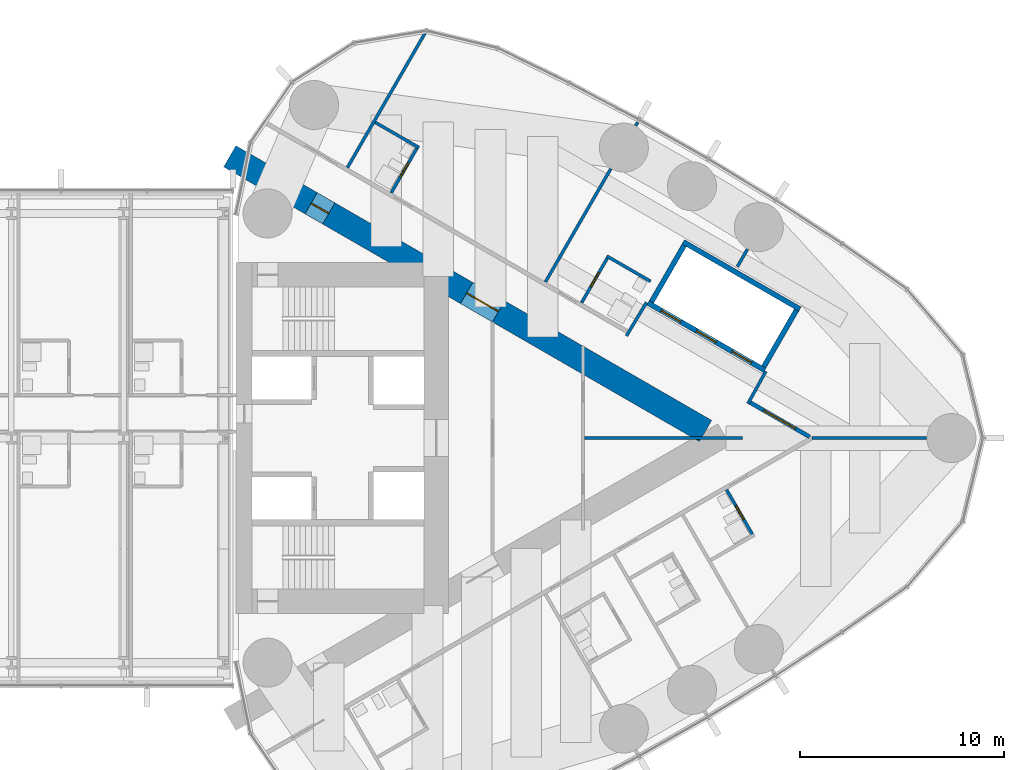
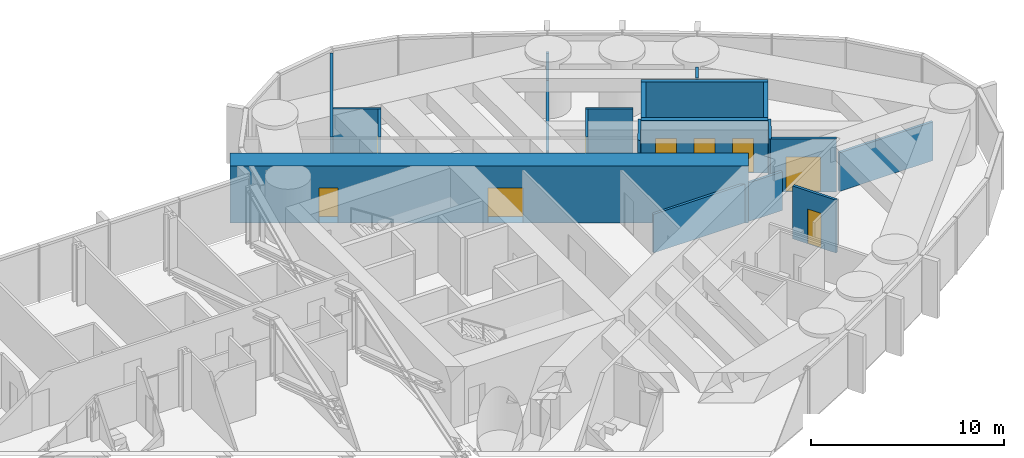
# One storey, part 20 of 23: 19 walls, 9 doors, 9 openings.
"""IFC4 building model written with IfcOpenShell, lengths in metres."""

import ifcopenshell
import ifcopenshell.guid

model = None  # the IFC model being written
_history = None  # IfcOwnerHistory: only IFC2X3 demands one
_inside = {}  # id of a spatial element -> (the spatial element, [elements in it])
_under = {}  # id of a project, library or spatial element -> (it, [spatial elements below it])
_declared = {}  # id of a project -> (the project, [libraries it declares])
_typed = {}  # id of a type object -> (the type object, [elements of that type])
_made_of = {}  # id of a material, layer set ... -> (it, [elements and type objects made of it])


def new_model(schema):
    """Start an empty IFC model of exactly this schema.

    Asked for "IFC4X3", IfcOpenShell would pick the latest addendum, in which some entities
    have other attributes; the version numbers below select the first issue.
    IFC2X3 requires an IfcOwnerHistory on every rooted entity: one is made here for all.
    """
    global model, _history
    if schema == "IFC4X3":
        model = ifcopenshell.file(schema_version=(4, 3, 0, 0))
    else:
        model = ifcopenshell.file(schema=schema)
    _inside.clear()
    _under.clear()
    _declared.clear()
    _typed.clear()
    _made_of.clear()
    _history = None
    if model.schema == "IFC2X3":
        org = make("IfcOrganization", Name="unknown")
        user = make(
            "IfcPersonAndOrganization",
            ThePerson=make("IfcPerson", FamilyName="unknown"),
            TheOrganization=org,
        )
        app = make(
            "IfcApplication",
            ApplicationDeveloper=org,
            Version="unknown",
            ApplicationFullName="unknown",
            ApplicationIdentifier="unknown",
        )
        _history = make(
            "IfcOwnerHistory",
            OwningUser=user,
            OwningApplication=app,
            ChangeAction="ADDED",
            CreationDate=0,
        )
    return model


def make(cls, **values):
    """One entity of the class cls with the attributes given. An attribute that is None is left unset."""
    return model.create_entity(
        cls, **{name: value for name, value in values.items() if value is not None}
    )


def rooted(cls, **values):
    """An entity with a GlobalId (a new one), such as an element, a storey or a relation."""
    return make(cls, GlobalId=ifcopenshell.guid.new(), OwnerHistory=_history, **values)


def si_unit(unit_type, name, prefix=None):
    """IfcSIUnit, for example si_unit("LENGTHUNIT", "METRE", prefix="MILLI")."""
    return make("IfcSIUnit", UnitType=unit_type, Prefix=prefix, Name=name)


def assignment(units):
    """IfcUnitAssignment: the units of a project."""
    return None if units is None else make("IfcUnitAssignment", Units=units)


def point(xyz):
    """IfcCartesianPoint."""
    return None if xyz is None else make("IfcCartesianPoint", Coordinates=xyz)


def direction(xyz):
    """IfcDirection."""
    return None if xyz is None else make("IfcDirection", DirectionRatios=xyz)


def frame(location, z_axis=None, x_axis=None):
    """IfcAxis2Placement3D, a coordinate frame: its origin and axes. An axis left out is left unset."""
    return make(
        "IfcAxis2Placement3D",
        Location=point(location),
        Axis=direction(z_axis),
        RefDirection=direction(x_axis),
    )


def frame_2d(location, x_axis=None):
    """IfcAxis2Placement2D, a coordinate frame in the plane: its origin and x axis."""
    return make(
        "IfcAxis2Placement2D", Location=point(location), RefDirection=direction(x_axis)
    )


def origin():
    """The frame at (0, 0, 0) with its axes left unset."""
    return frame((0.0, 0.0, 0.0))


def place(relative_to, where):
    """IfcLocalPlacement: puts the frame where relative to a parent placement (None: the world)."""
    return make(
        "IfcLocalPlacement", PlacementRelTo=relative_to, RelativePlacement=where
    )


def context(
    kind, dimensions, precision=None, world=None, true_north=None, identifier=None
):
    """IfcGeometricRepresentationContext, for example the 3D "Model" context."""
    return make(
        "IfcGeometricRepresentationContext",
        ContextIdentifier=identifier,
        ContextType=kind,
        CoordinateSpaceDimension=dimensions,
        Precision=precision,
        WorldCoordinateSystem=world,
        TrueNorth=true_north,
    )


def subcontext(parent, identifier, kind, view, scale=None):
    """IfcGeometricRepresentationSubContext, for example "Body" below "Model"."""
    return make(
        "IfcGeometricRepresentationSubContext",
        ContextIdentifier=identifier,
        ContextType=kind,
        ParentContext=parent,
        TargetScale=scale,
        TargetView=view,
    )


def project(units=None, contexts=None):
    """IfcProject with its units and contexts."""
    return rooted(
        "IfcProject",
        Name="project",
        RepresentationContexts=contexts,
        UnitsInContext=assignment(units),
    )


def spatial(cls, under=None, at=None, **own):
    """A site, building, storey or space (cls), placed at a placement, below another one or the project."""
    s = rooted(cls, ObjectPlacement=at, **own)
    if under is not None:
        _under.setdefault(under.id(), (under, []))[1].append(s)
    return s


def profile(cls, at=None, kind="AREA", **sizes):
    """A parametric profile (cls). Its sizes go by their IFC names, for example OverallWidth=200.0."""
    return make(cls, ProfileType=kind, Position=at, **sizes)


def rectangle(**sizes):
    """IfcRectangleProfileDef."""
    return profile("IfcRectangleProfileDef", **sizes)


def extrude(swept, where, along, depth):
    """IfcExtrudedAreaSolid: the profile swept, set in the frame where, extruded along a direction by depth."""
    return make(
        "IfcExtrudedAreaSolid",
        SweptArea=swept,
        Position=where,
        ExtrudedDirection=direction(along),
        Depth=depth,
    )


def shape(context_of_items, identifier, shape_type, items):
    """IfcShapeRepresentation: the items that make up one representation, for example the "Body"."""
    return make(
        "IfcShapeRepresentation",
        ContextOfItems=context_of_items,
        RepresentationIdentifier=identifier,
        RepresentationType=shape_type,
        Items=items,
    )


def material(Name=None, Category=None):
    """IfcMaterial."""
    return make("IfcMaterial", Name=Name, Category=Category)


def layer(
    of_material, thickness, ventilated=None, Name=None, Category=None, Priority=None
):
    """IfcMaterialLayer: one layer of a wall or slab, of a material (None: an air gap)."""
    return make(
        "IfcMaterialLayer",
        Material=of_material,
        LayerThickness=thickness,
        IsVentilated=ventilated,
        Name=Name,
        Category=Category,
        Priority=Priority,
    )


def layer_set(layers, Name=None):
    """IfcMaterialLayerSet."""
    return make("IfcMaterialLayerSet", MaterialLayers=layers, LayerSetName=Name)


def made_of(thing, what):
    """Note that an element or type object is made of a material, layer set ...; save() writes the relation."""
    if what is not None:
        _made_of.setdefault(what.id(), (what, []))[1].append(thing)
    return thing


def type_object(cls, material=None, **own):
    """A type object (cls), such as IfcWallType, which elements share."""
    return made_of(rooted(cls, **own), material)


def element(
    cls,
    number,
    at=None,
    inside=None,
    cuts=None,
    type_object=None,
    material=None,
    context=None,
    identifier="Body",
    shape_type=None,
    held_by="IfcProductDefinitionShape",
    body=None,
    shapes=None,
    **own,
):
    """One element of the class cls, such as IfcWall. Its Tag is "e" and its number.

    at: its placement. inside: the storey or other place that contains it. cuts: it is an
    opening in that element (IfcRelVoidsElement). A single representation is given by context,
    identifier, shape_type and body (its items); several are given by shapes. held_by: the class
    of the entity that holds the representations. save() writes the other relations.
    """
    e = rooted(cls, Tag="e%d" % number, ObjectPlacement=at, **own)
    if body is not None:
        shapes = [shape(context, identifier, shape_type, body)]
    if shapes is not None:
        e.Representation = make(held_by, Representations=shapes)
    if inside is not None:
        _inside.setdefault(inside.id(), (inside, []))[1].append(e)
    if cuts is not None:
        rooted(
            "IfcRelVoidsElement", RelatingBuildingElement=cuts, RelatedOpeningElement=e
        )
    if type_object is not None:
        _typed.setdefault(type_object.id(), (type_object, []))[1].append(e)
    return made_of(e, material)


def fill(opening, filler):
    """IfcRelFillsElement: the door or window that sits in an opening."""
    return rooted(
        "IfcRelFillsElement",
        RelatingOpeningElement=opening,
        RelatedBuildingElement=filler,
    )


def aggregate(whole, parts):
    """IfcRelAggregates: a whole, such as a stair, and the parts it consists of."""
    return rooted("IfcRelAggregates", RelatingObject=whole, RelatedObjects=parts)


def save(model, path):
    """Write the relations noted so far, then the file.

    IfcRelAggregates (storeys below a building ...), IfcRelContainedInSpatialStructure (elements
    in a storey), IfcRelDefinesByType, IfcRelAssociatesMaterial and IfcRelDeclares: one each for
    every whole, place, type object, material and project.
    """
    for whole, parts in _under.values():
        aggregate(whole, parts)
    for where, things in _inside.values():
        rooted(
            "IfcRelContainedInSpatialStructure",
            RelatedElements=things,
            RelatingStructure=where,
        )
    for kind, things in _typed.values():
        rooted("IfcRelDefinesByType", RelatedObjects=things, RelatingType=kind)
    for what, things in _made_of.values():
        rooted("IfcRelAssociatesMaterial", RelatedObjects=things, RelatingMaterial=what)
    for by, libraries in _declared.values():
        rooted("IfcRelDeclares", RelatingContext=by, RelatedDefinitions=libraries)
    model.write(path)


model = new_model("IFC4")

# Units and contexts
model_context = context("Model", 3, precision=1e-05, world=origin(), true_north=direction((0.0, 1.0)))
body_context = subcontext(model_context, "Body", "Model", "MODEL_VIEW")
ifc_project = project(units=[si_unit("LENGTHUNIT", "METRE"), si_unit("AREAUNIT", "SQUARE_METRE"), si_unit("VOLUMEUNIT", "CUBIC_METRE"), si_unit("PLANEANGLEUNIT", "RADIAN"), si_unit("MASSUNIT", "GRAM", prefix="KILO")], contexts=[model_context])

# Site, building, storey
site_placement = place(None, origin())
site = spatial("IfcSite", under=ifc_project, at=site_placement, CompositionType="ELEMENT")
building_placement = place(site_placement, origin())
building = spatial("IfcBuilding", under=site, at=building_placement, Name="Lancet Gate Hotel", CompositionType="ELEMENT")
storey_placement = place(building_placement, frame((0.0, 0.0, 218.89990234375)))
storey = spatial("IfcBuildingStorey", under=building, at=storey_placement, Name="L58", CompositionType="ELEMENT", Elevation=218.89990234375)

# Wall, opening, door
ifc_material_1 = material(Name="Moisture resistant board partition")
ifc_layer_1 = layer(ifc_material_1, 0.14990234375)
ifc_layer_set_1 = layer_set([ifc_layer_1], Name="Bathroom wall 150")
wall_type_1 = type_object("IfcWallType", Name="Bathroom wall 150", PredefinedType="PARTITIONING", material=ifc_layer_set_1)
wall_1_placement = place(storey_placement, frame((51.528564453125, -2.525146484375, 0.0), z_axis=(0.0, 0.0, 1.0), x_axis=(0.500006934395, -0.866021400173, 0.0)))
wall_1 = element("IfcWall", 1, at=wall_1_placement, inside=storey, type_object=wall_type_1, Name="T2 bathroom wall 150 L58", PredefinedType="PARTITIONING", context=body_context, shape_type="SweptSolid", body=[
    extrude(rectangle(XDim=2.60009765625, YDim=0.14990234375, at=frame_2d((1.300048828125, 0.0))), origin(), (0.0, 0.0, 1.0), 3.35009765625),
])
opening_1_placement = place(wall_1_placement, frame((0.89990234375, 0.0, 0.0)))
opening_1 = element("IfcOpeningElement", 2, at=opening_1_placement, cuts=wall_1, Name="Opening 5855-B", PredefinedType="OPENING", context=body_context, shape_type="SweptSolid", body=[
    extrude(rectangle(XDim=0.800048828125, YDim=2.199951171875, at=frame_2d((0.39990234375, 1.10009765625))), frame((0.0, 0.0849609375, 0.0), z_axis=(0.0, -1.0, 0.0), x_axis=(1.0, 0.0, 0.0)), (0.0, 0.0, 1.0), 0.169921875),
])
ifc_material_2 = material(Name="Timber door set", Category="wood")
door_type_1 = type_object("IfcDoorType", Name="Bathroom door 800", OperationType="SINGLE_SWING_RIGHT", PredefinedType="DOOR", material=ifc_material_2)
door_1_placement = place(opening_1_placement, origin())
door_1 = element("IfcDoor", 3, at=door_1_placement, inside=storey, type_object=door_type_1, Name="5855-B", OperationType="SINGLE_SWING_RIGHT", OverallHeight=2.199951171875, OverallWidth=0.800048828125, PredefinedType="DOOR", context=body_context, shape_type="SweptSolid", body=[
    extrude(rectangle(XDim=0.800048828125, YDim=2.199951171875, at=frame_2d((0.39990234375, 1.10009765625))), frame((0.0, 0.02490234375, 0.0), z_axis=(0.0, -1.0, 0.0), x_axis=(1.0, 0.0, 0.0)), (0.0, 0.0, 1.0), 0.050048828125),
])
fill(opening_1, door_1)

# Wall
wall_2_placement = place(storey_placement, frame((45.662109375, 8.914306640625, 0.0), z_axis=(0.0, 0.0, 1.0), x_axis=(0.86604923931, -0.499958713387, 0.0)))
element("IfcWall", 4, at=wall_2_placement, inside=storey, type_object=wall_type_1, Name="T2 bathroom wall 150 L58", PredefinedType="PARTITIONING", context=body_context, shape_type="SweptSolid", body=[
    extrude(rectangle(XDim=2.474853515625, YDim=0.14990234375, at=frame_2d((1.2373046875, 0.0))), origin(), (0.0, 0.0, 1.0), 3.35009765625),
])

# Wall, opening, door
wall_3_placement = place(storey_placement, frame((44.427001953125, 6.625244140625, 0.0), z_axis=(0.0, 0.0, 1.0), x_axis=(0.500006934395, 0.866021400173, 0.0)))
wall_3 = element("IfcWall", 5, at=wall_3_placement, inside=storey, type_object=wall_type_1, Name="T2 bathroom wall 150 L58", PredefinedType="PARTITIONING", context=body_context, shape_type="SweptSolid", body=[
    extrude(rectangle(XDim=2.60009765625, YDim=0.14990234375, at=frame_2d((1.300048828125, 0.0))), origin(), (0.0, 0.0, 1.0), 3.35009765625),
])
opening_2_placement = place(wall_3_placement, frame((0.89990234375, 0.0, 0.0)))
opening_2 = element("IfcOpeningElement", 6, at=opening_2_placement, cuts=wall_3, Name="Opening 5858-B", PredefinedType="OPENING", context=body_context, shape_type="SweptSolid", body=[
    extrude(rectangle(XDim=0.800048828125, YDim=2.199951171875, at=frame_2d((0.39990234375, 1.10009765625))), frame((0.0, 0.0849609375, 0.0), z_axis=(0.0, -1.0, 0.0), x_axis=(1.0, 0.0, 0.0)), (0.0, 0.0, 1.0), 0.169921875),
])
door_2_placement = place(opening_2_placement, origin())
door_2 = element("IfcDoor", 7, at=door_2_placement, inside=storey, type_object=door_type_1, Name="5858-B", OperationType="SINGLE_SWING_RIGHT", OverallHeight=2.199951171875, OverallWidth=0.800048828125, PredefinedType="DOOR", context=body_context, shape_type="SweptSolid", body=[
    extrude(rectangle(XDim=0.800048828125, YDim=2.199951171875, at=frame_2d((0.39990234375, 1.10009765625))), frame((0.0, 0.02490234375, 0.0), z_axis=(0.0, -1.0, 0.0), x_axis=(1.0, 0.0, 0.0)), (0.0, 0.0, 1.0), 0.050048828125),
])
fill(opening_2, door_2)

# Wall
wall_4_placement = place(storey_placement, frame((34.324951171875, 15.4599609375, 0.0), z_axis=(0.0, 0.0, 1.0), x_axis=(0.866031185235, -0.4999899861, 0.0)))
element("IfcWall", 8, at=wall_4_placement, inside=storey, type_object=wall_type_1, Name="T2 bathroom wall 150 L58", PredefinedType="PARTITIONING", context=body_context, shape_type="SweptSolid", body=[
    extrude(rectangle(XDim=2.47509765625, YDim=0.14990234375, at=frame_2d((1.237548828125, 0.0))), origin(), (0.0, 0.0, 1.0), 3.35009765625),
])

# Wall, opening, door
wall_5_placement = place(storey_placement, frame((35.103515625, 12.00830078125, 0.0), z_axis=(0.0, 0.0, 1.0), x_axis=(0.500047596559, 0.865997922154, 0.0)))
wall_5 = element("IfcWall", 9, at=wall_5_placement, inside=storey, type_object=wall_type_1, Name="T2 bathroom wall 150 L58", PredefinedType="PARTITIONING", context=body_context, shape_type="SweptSolid", body=[
    extrude(rectangle(XDim=2.599853515625, YDim=0.14990234375, at=frame_2d((1.2998046875, 0.0))), origin(), (0.0, 0.0, 1.0), 3.35009765625),
])
opening_3_placement = place(wall_5_placement, frame((0.89990234375, 0.0, 0.0)))
opening_3 = element("IfcOpeningElement", 10, at=opening_3_placement, cuts=wall_5, Name="Opening 5859-B", PredefinedType="OPENING", context=body_context, shape_type="SweptSolid", body=[
    extrude(rectangle(XDim=0.800048828125, YDim=2.199951171875, at=frame_2d((0.39990234375, 1.10009765625))), frame((0.0, 0.0849609375, 0.0), z_axis=(0.0, -1.0, 0.0), x_axis=(1.0, 0.0, 0.0)), (0.0, 0.0, 1.0), 0.169921875),
])
door_3_placement = place(opening_3_placement, origin())
door_3 = element("IfcDoor", 11, at=door_3_placement, inside=storey, type_object=door_type_1, Name="5859-B", OperationType="SINGLE_SWING_RIGHT", OverallHeight=2.199951171875, OverallWidth=0.800048828125, PredefinedType="DOOR", context=body_context, shape_type="SweptSolid", body=[
    extrude(rectangle(XDim=0.800048828125, YDim=2.199951171875, at=frame_2d((0.39990234375, 1.10009765625))), frame((0.0, 0.02490234375, 0.0), z_axis=(0.0, -1.0, 0.0), x_axis=(1.0, 0.0, 0.0)), (0.0, 0.0, 1.0), 0.050048828125),
])
fill(opening_3, door_3)

# Wall, openings, doors
ifc_material_3 = material(Name="Concrete C70/85", Category="concrete")
ifc_layer_2 = layer(ifc_material_3, 1.199951171875)
ifc_layer_set_2 = layer_set([ifc_layer_2], Name="Buttress wall 1200")
wall_type_2 = type_object("IfcWallType", Name="Buttress wall 1200", PredefinedType="SHEAR", material=ifc_layer_set_2)
wall_6_placement = place(storey_placement, frame((27.199951171875, 13.800048828125, 0.0), z_axis=(0.0, 0.0, 1.0), x_axis=(0.866024515034, -0.500001539357, 0.0)))
wall_6 = element("IfcWall", 12, at=wall_6_placement, inside=storey, type_object=wall_type_2, Name="T2 buttress wall N L58", PredefinedType="SHEAR", context=body_context, shape_type="SweptSolid", body=[
    extrude(rectangle(XDim=26.9072265625, YDim=1.199951171875, at=frame_2d((13.45361328125, 0.0))), origin(), (0.0, 0.0, 1.0), 3.60009765625),
])
opening_4_placement = place(wall_6_placement, frame((4.60009765625, 0.0, 0.0)))
opening_4 = element("IfcOpeningElement", 13, at=opening_4_placement, cuts=wall_6, Name="Opening T2-L58-LN", PredefinedType="OPENING", context=body_context, shape_type="SweptSolid", body=[
    extrude(rectangle(XDim=1.0, YDim=2.199951171875, at=frame_2d((0.5, 1.10009765625))), frame((0.0, 0.60986328125, 0.0), z_axis=(0.0, -1.0, 0.0), x_axis=(1.0, 0.0, 0.0)), (0.0, 0.0, 1.0), 1.219970703125),
])
opening_5_placement = place(wall_6_placement, frame((13.39453125, 0.0, 0.0)))
opening_5 = element("IfcOpeningElement", 14, at=opening_5_placement, cuts=wall_6, Name="Opening T2-L58-LHN", PredefinedType="OPENING", context=body_context, shape_type="SweptSolid", body=[
    extrude(rectangle(XDim=1.800048828125, YDim=2.199951171875, at=frame_2d((0.89990234375, 1.10009765625))), frame((0.0, 0.60986328125, 0.0), z_axis=(0.0, -1.0, 0.0), x_axis=(1.0, 0.0, 0.0)), (0.0, 0.0, 1.0), 1.219970703125),
])
ifc_material_4 = material(Name="Timber door set", Category="wood")
door_type_2 = type_object("IfcDoorType", Name="Lobby double door 1800", OperationType="DOUBLE_DOOR_SINGLE_SWING", PredefinedType="DOOR", material=ifc_material_4)
door_4_placement = place(opening_5_placement, origin())
door_4 = element("IfcDoor", 15, at=door_4_placement, inside=storey, type_object=door_type_2, Name="T2-L58-LHN", OperationType="DOUBLE_DOOR_SINGLE_SWING", OverallHeight=2.199951171875, OverallWidth=1.800048828125, PredefinedType="DOOR", context=body_context, shape_type="SweptSolid", body=[
    extrude(rectangle(XDim=1.800048828125, YDim=2.199951171875, at=frame_2d((0.89990234375, 1.10009765625))), frame((0.0, 0.02490234375, 0.0), z_axis=(0.0, -1.0, 0.0), x_axis=(1.0, 0.0, 0.0)), (0.0, 0.0, 1.0), 0.050048828125),
])
fill(opening_5, door_4)
ifc_material_5 = material(Name="Timber door set", Category="wood")
door_type_3 = type_object("IfcDoorType", Name="Stair lobby door 1000", OperationType="SINGLE_SWING_LEFT", PredefinedType="DOOR", material=ifc_material_5)
door_5_placement = place(opening_4_placement, origin())
door_5 = element("IfcDoor", 16, at=door_5_placement, inside=storey, type_object=door_type_3, Name="T2-L58-LN", OperationType="SINGLE_SWING_LEFT", OverallHeight=2.199951171875, OverallWidth=1.0, PredefinedType="DOOR", context=body_context, shape_type="SweptSolid", body=[
    extrude(rectangle(XDim=1.0, YDim=2.199951171875, at=frame_2d((0.5, 1.10009765625))), frame((0.0, 0.02490234375, 0.0), z_axis=(0.0, -1.0, 0.0), x_axis=(1.0, 0.0, 0.0)), (0.0, 0.0, 1.0), 0.050048828125),
])
fill(opening_4, door_5)

# Wall, opening, door
ifc_material_6 = material(Name="Gypsum board partition")
ifc_layer_3 = layer(ifc_material_6, 0.199951171875)
ifc_layer_set_3 = layer_set([ifc_layer_3], Name="Corridor wall 200")
wall_type_3 = type_object("IfcWallType", Name="Corridor wall 200", PredefinedType="PARTITIONING", material=ifc_layer_set_3)
wall_7_placement = place(storey_placement, frame((52.63916015625, 1.7685546875, 0.0), z_axis=(0.0, 0.0, 1.0), x_axis=(0.866027340901, -0.4999966448, 0.0)))
wall_7 = element("IfcWall", 17, at=wall_7_placement, inside=storey, type_object=wall_type_3, Name="T2 corridor wall 200 L58", PredefinedType="PARTITIONING", context=body_context, shape_type="SweptSolid", body=[
    extrude(rectangle(XDim=3.4169921875, YDim=0.199951171875, at=frame_2d((1.70849609375, 0.0))), origin(), (0.0, 0.0, 1.0), 3.35009765625),
])
opening_6_placement = place(wall_7_placement, frame((0.80859375, 0.0, 0.0)))
opening_6 = element("IfcOpeningElement", 18, at=opening_6_placement, cuts=wall_7, Name="Opening T2-L58-LO1", PredefinedType="OPENING", context=body_context, shape_type="SweptSolid", body=[
    extrude(rectangle(XDim=1.800048828125, YDim=2.199951171875, at=frame_2d((0.89990234375, 1.10009765625))), frame((0.0, 0.10986328125, 0.0), z_axis=(0.0, -1.0, 0.0), x_axis=(1.0, 0.0, 0.0)), (0.0, 0.0, 1.0), 0.219970703125),
])
ifc_material_7 = material(Name="Timber door set", Category="wood")
door_type_4 = type_object("IfcDoorType", Name="Double door 1800", OperationType="DOUBLE_DOOR_SINGLE_SWING", PredefinedType="DOOR", material=ifc_material_7)
door_6_placement = place(opening_6_placement, origin())
door_6 = element("IfcDoor", 19, at=door_6_placement, inside=storey, type_object=door_type_4, Name="T2-L58-LO1", OperationType="DOUBLE_DOOR_SINGLE_SWING", OverallHeight=2.199951171875, OverallWidth=1.800048828125, PredefinedType="DOOR", context=body_context, shape_type="SweptSolid", body=[
    extrude(rectangle(XDim=1.800048828125, YDim=2.199951171875, at=frame_2d((0.89990234375, 1.10009765625))), frame((0.0, 0.02490234375, 0.0), z_axis=(0.0, -1.0, 0.0), x_axis=(1.0, 0.0, 0.0)), (0.0, 0.0, 1.0), 0.050048828125),
])
fill(opening_6, door_6)

# Wall, openings, doors
ifc_material_8 = material(Name="Gypsum board partition")
ifc_layer_4 = layer(ifc_material_8, 0.25)
ifc_layer_set_4 = layer_set([ifc_layer_4], Name="Lift shaft partition 250")
wall_type_4 = type_object("IfcWallType", Name="Lift shaft partition 250", PredefinedType="PARTITIONING", material=ifc_layer_set_4)
wall_8_placement = place(storey_placement, frame((47.681396484375, 6.622314453125, 0.0), z_axis=(0.0, 0.0, 1.0), x_axis=(0.86603344179, -0.499986077507, 0.0)))
wall_8 = element("IfcWall", 20, at=wall_8_placement, inside=storey, type_object=wall_type_4, Name="T2 lift shaft wall HL L58", PredefinedType="PARTITIONING", context=body_context, shape_type="SweptSolid", body=[
    extrude(rectangle(XDim=6.600341796875, YDim=0.25, at=frame_2d((3.30029296875, 0.0))), origin(), (0.0, 0.0, 1.0), 3.35009765625),
])
opening_7_placement = place(wall_8_placement, frame((0.75, 0.0, 0.0)))
opening_7 = element("IfcOpeningElement", 21, at=opening_7_placement, cuts=wall_8, Name="Opening T2-HL1-L58", PredefinedType="OPENING", context=body_context, shape_type="SweptSolid", body=[
    extrude(rectangle(XDim=1.10009765625, YDim=2.199951171875, at=frame_2d((0.550048828125, 1.10009765625))), frame((0.0, 0.135009765625, 0.0), z_axis=(0.0, -1.0, 0.0), x_axis=(1.0, 0.0, 0.0)), (0.0, 0.0, 1.0), 0.27001953125),
])
opening_8_placement = place(wall_8_placement, frame((2.75, 0.0, 0.0)))
opening_8 = element("IfcOpeningElement", 22, at=opening_8_placement, cuts=wall_8, Name="Opening T2-HL2-L58", PredefinedType="OPENING", context=body_context, shape_type="SweptSolid", body=[
    extrude(rectangle(XDim=1.10009765625, YDim=2.199951171875, at=frame_2d((0.550048828125, 1.10009765625))), frame((0.0, 0.135009765625, 0.0), z_axis=(0.0, -1.0, 0.0), x_axis=(1.0, 0.0, 0.0)), (0.0, 0.0, 1.0), 0.27001953125),
])
opening_9_placement = place(wall_8_placement, frame((4.75, 0.0, 0.0)))
opening_9 = element("IfcOpeningElement", 23, at=opening_9_placement, cuts=wall_8, Name="Opening T2-HL3-L58", PredefinedType="OPENING", context=body_context, shape_type="SweptSolid", body=[
    extrude(rectangle(XDim=1.10009765625, YDim=2.199951171875, at=frame_2d((0.550048828125, 1.10009765625))), frame((0.0, 0.135009765625, 0.0), z_axis=(0.0, -1.0, 0.0), x_axis=(1.0, 0.0, 0.0)), (0.0, 0.0, 1.0), 0.27001953125),
])
ifc_material_9 = material(Name="Steel door set", Category="steel")
door_type_5 = type_object("IfcDoorType", Name="Lift landing door 1100", OperationType="DOUBLE_DOOR_SLIDING", PredefinedType="USERDEFINED", material=ifc_material_9)
door_7_placement = place(opening_7_placement, origin())
door_7 = element("IfcDoor", 24, at=door_7_placement, inside=storey, type_object=door_type_5, Name="T2-HL1-L58", ObjectType="LIFT LANDING DOOR", OperationType="DOUBLE_DOOR_SLIDING", OverallHeight=2.199951171875, OverallWidth=1.10009765625, PredefinedType="USERDEFINED", context=body_context, shape_type="SweptSolid", body=[
    extrude(rectangle(XDim=1.10009765625, YDim=2.199951171875, at=frame_2d((0.550048828125, 1.10009765625))), frame((0.0, 0.02490234375, 0.0), z_axis=(0.0, -1.0, 0.0), x_axis=(1.0, 0.0, 0.0)), (0.0, 0.0, 1.0), 0.050048828125),
])
fill(opening_7, door_7)
door_8_placement = place(opening_8_placement, origin())
door_8 = element("IfcDoor", 25, at=door_8_placement, inside=storey, type_object=door_type_5, Name="T2-HL2-L58", ObjectType="LIFT LANDING DOOR", OperationType="DOUBLE_DOOR_SLIDING", OverallHeight=2.199951171875, OverallWidth=1.10009765625, PredefinedType="USERDEFINED", context=body_context, shape_type="SweptSolid", body=[
    extrude(rectangle(XDim=1.10009765625, YDim=2.199951171875, at=frame_2d((0.550048828125, 1.10009765625))), frame((0.0, 0.02490234375, 0.0), z_axis=(0.0, -1.0, 0.0), x_axis=(1.0, 0.0, 0.0)), (0.0, 0.0, 1.0), 0.050048828125),
])
fill(opening_8, door_8)
door_9_placement = place(opening_9_placement, origin())
door_9 = element("IfcDoor", 26, at=door_9_placement, inside=storey, type_object=door_type_5, Name="T2-HL3-L58", ObjectType="LIFT LANDING DOOR", OperationType="DOUBLE_DOOR_SLIDING", OverallHeight=2.199951171875, OverallWidth=1.10009765625, PredefinedType="USERDEFINED", context=body_context, shape_type="SweptSolid", body=[
    extrude(rectangle(XDim=1.10009765625, YDim=2.199951171875, at=frame_2d((0.550048828125, 1.10009765625))), frame((0.0, 0.02490234375, 0.0), z_axis=(0.0, -1.0, 0.0), x_axis=(1.0, 0.0, 0.0)), (0.0, 0.0, 1.0), 0.050048828125),
])
fill(opening_9, door_9)

# Walls
wall_9_placement = place(storey_placement, frame((49.406494140625, 9.61083984375, 0.0), z_axis=(0.0, 0.0, 1.0), x_axis=(0.86603344179, -0.499986077507, 0.0)))
element("IfcWall", 27, at=wall_9_placement, inside=storey, type_object=wall_type_4, Name="T2 lift shaft wall HL L58", PredefinedType="PARTITIONING", context=body_context, shape_type="SweptSolid", body=[
    extrude(rectangle(XDim=6.600341796875, YDim=0.25, at=frame_2d((3.30029296875, 0.0))), origin(), (0.0, 0.0, 1.0), 3.35009765625),
])
wall_10_placement = place(storey_placement, frame((47.852294921875, 6.66796875, 0.0), z_axis=(0.0, 0.0, 1.0), x_axis=(0.499929347863, 0.866066190972, 0.0)))
element("IfcWall", 28, at=wall_10_placement, inside=storey, type_object=wall_type_4, Name="T2 lift shaft wall HL L58", PredefinedType="PARTITIONING", context=body_context, shape_type="SweptSolid", body=[
    extrude(rectangle(XDim=3.20068359375, YDim=0.25, at=frame_2d((1.600341796875, 0.0))), origin(), (0.0, 0.0, 1.0), 3.35009765625),
])
wall_11_placement = place(storey_placement, frame((53.351806640625, 3.492919921875, 0.0), z_axis=(0.0, 0.0, 1.0), x_axis=(0.499872130319, 0.866099216793, 0.0)))
element("IfcWall", 29, at=wall_11_placement, inside=storey, type_object=wall_type_4, Name="T2 lift shaft wall HL L58", PredefinedType="PARTITIONING", context=body_context, shape_type="SweptSolid", body=[
    extrude(rectangle(XDim=3.200439453125, YDim=0.25, at=frame_2d((1.60009765625, 0.0))), origin(), (0.0, 0.0, 1.0), 3.35009765625),
])
ifc_material_10 = material(Name="Gypsum board partition")
ifc_layer_5 = layer(ifc_material_10, 0.14990234375)
ifc_layer_set_5 = layer_set([ifc_layer_5], Name="Party wall 150")
wall_type_5 = type_object("IfcWallType", Name="Party wall 150", PredefinedType="PARTITIONING", material=ifc_layer_set_5)
wall_12_placement = place(storey_placement, frame((32.9599609375, 13.24560546875, 0.0), z_axis=(0.0, 0.0, 1.0), x_axis=(0.500000236886, 0.866025267018, 0.0)))
element("IfcWall", 30, at=wall_12_placement, inside=storey, type_object=wall_type_5, Name="T2 party wall 150 L58", PredefinedType="PARTITIONING", context=body_context, shape_type="SweptSolid", body=[
    extrude(rectangle(XDim=7.58251953125, YDim=0.14990234375, at=frame_2d((3.791259765625, 0.0))), origin(), (0.0, 0.0, 1.0), 3.35009765625),
])
wall_13_placement = place(storey_placement, frame((42.65966796875, 7.6455078125, 0.0), z_axis=(0.0, 0.0, 1.0), x_axis=(0.499996592859, 0.866027370889, 0.0)))
element("IfcWall", 31, at=wall_13_placement, inside=storey, type_object=wall_type_5, Name="T2 party wall 150 L58", PredefinedType="PARTITIONING", context=body_context, shape_type="SweptSolid", body=[
    extrude(rectangle(XDim=6.3984375, YDim=0.14990234375, at=frame_2d((3.19921875, 0.0))), origin(), (0.0, 0.0, 1.0), 2.4501953125),
])
wall_14_placement = place(storey_placement, frame((47.078857421875, 15.2998046875, 0.0), z_axis=(0.0, 0.0, 1.0), x_axis=(0.499212083968, 0.866479829667, 0.0)))
element("IfcWall", 32, at=wall_14_placement, inside=storey, type_object=wall_type_5, Name="T2 party wall 150 L58", PredefinedType="PARTITIONING", context=body_context, shape_type="SweptSolid", body=[
    extrude(rectangle(XDim=0.179443359375, YDim=0.14990234375, at=frame_2d((0.08984375, 0.0))), origin(), (0.0, 0.0, 1.0), 2.4501953125),
])
wall_15_placement = place(storey_placement, frame((55.7021484375, 0.0, 0.0), z_axis=(0.0, 0.0, 1.0), x_axis=(1.0, 0.0, 0.0)))
element("IfcWall", 33, at=wall_15_placement, inside=storey, type_object=wall_type_5, Name="T2 party wall 150 L58", PredefinedType="PARTITIONING", context=body_context, shape_type="SweptSolid", body=[
    extrude(rectangle(XDim=5.619384765625, YDim=0.14990234375, at=frame_2d((2.8095703125, 0.0))), origin(), (0.0, 0.0, 1.0), 2.4501953125),
])
wall_16_placement = place(storey_placement, frame((52.060302734375, 8.396240234375, 0.0), z_axis=(0.0, 0.0, 1.0), x_axis=(0.500095379624, 0.865970329329, 0.0)))
element("IfcWall", 34, at=wall_16_placement, inside=storey, type_object=wall_type_5, Name="T2 party wall 150 L58", PredefinedType="PARTITIONING", context=body_context, shape_type="SweptSolid", body=[
    extrude(rectangle(XDim=0.982177734375, YDim=0.14990234375, at=frame_2d((0.4912109375, 0.0))), origin(), (0.0, 0.0, 1.0), 3.35009765625),
])
ifc_material_11 = material(Name="Gypsum board partition")
ifc_layer_6 = layer(ifc_material_11, 0.14990234375)
ifc_layer_set_6 = layer_set([ifc_layer_6], Name="Service room wall 150")
wall_type_6 = type_object("IfcWallType", Name="Service room wall 150", PredefinedType="PARTITIONING", material=ifc_layer_set_6)
wall_17_placement = place(storey_placement, frame((47.6064453125, 6.642333984375, 0.0), z_axis=(0.0, 0.0, 1.0), x_axis=(-0.51353662755, -0.858067673418, 0.0)))
element("IfcWall", 35, at=wall_17_placement, inside=storey, type_object=wall_type_6, Name="T2 service room wall 150 L58", PredefinedType="PARTITIONING", context=body_context, shape_type="SweptSolid", body=[
    extrude(rectangle(XDim=1.90966796875, YDim=0.14990234375, at=frame_2d((0.954833984375, 0.0))), origin(), (0.0, 0.0, 1.0), 3.35009765625),
])
wall_18_placement = place(storey_placement, frame((52.576171875, 1.689453125, 0.0), z_axis=(0.0, 0.0, 1.0), x_axis=(0.485424724123, 0.874278466629, 0.0)))
element("IfcWall", 36, at=wall_18_placement, inside=storey, type_object=wall_type_6, Name="T2 service room wall 150 L58", PredefinedType="PARTITIONING", context=body_context, shape_type="SweptSolid", body=[
    extrude(rectangle(XDim=1.80517578125, YDim=0.14990234375, at=frame_2d((0.902587890625, 0.0))), origin(), (0.0, 0.0, 1.0), 3.35009765625),
])
wall_19_placement = place(storey_placement, frame((44.574951171875, 0.0, 0.0), z_axis=(0.0, 0.0, 1.0), x_axis=(1.0, 0.0, 0.0)))
element("IfcWall", 37, at=wall_19_placement, inside=storey, type_object=wall_type_6, Name="T2 service room wall 150 L58", PredefinedType="PARTITIONING", context=body_context, shape_type="SweptSolid", body=[
    extrude(rectangle(XDim=7.727294921875, YDim=0.14990234375, at=frame_2d((3.86376953125, 0.0))), origin(), (0.0, 0.0, 1.0), 2.4501953125),
])

save(model, "model.ifc")
